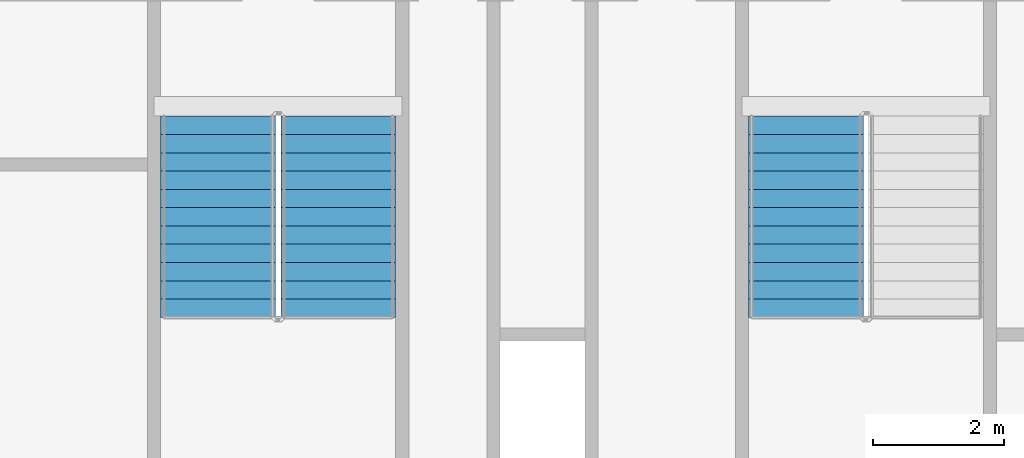
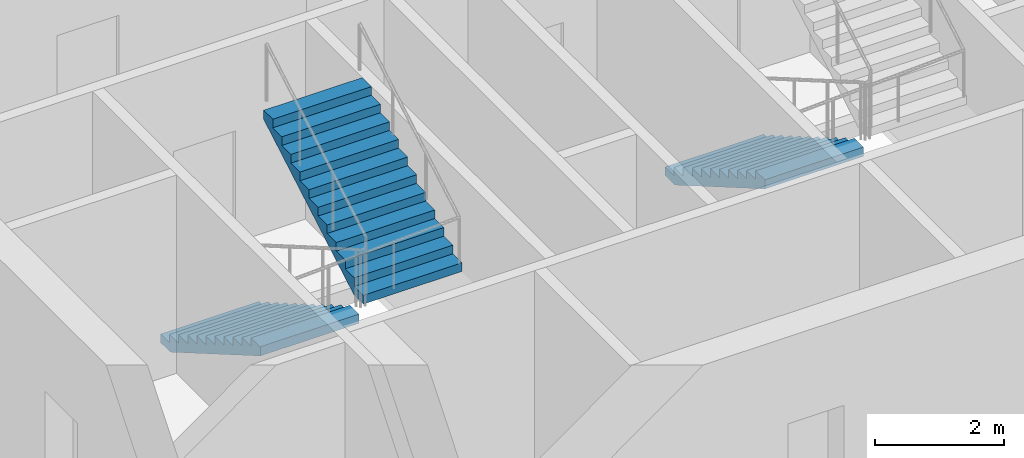
# One storey, part 15 of 22: 3 stair flights, 2 elements without a shape of their own.
"""IFC4 building model written with IfcOpenShell, lengths in metres."""

from ifc_helpers import new_model, si_unit, direction, frame, origin, place, context, subcontext, project, spatial, faceted_brep, material, type_object, element, aggregate, save


model = new_model("IFC4")

# Units and contexts
model_context = context("Model", 3, precision=1e-05, world=origin(), true_north=direction((0.0, 1.0)))
body_context = subcontext(model_context, "Body", "Model", "MODEL_VIEW")
ifc_project = project(units=[si_unit("LENGTHUNIT", "METRE"), si_unit("AREAUNIT", "SQUARE_METRE"), si_unit("VOLUMEUNIT", "CUBIC_METRE"), si_unit("PLANEANGLEUNIT", "RADIAN"), si_unit("MASSUNIT", "GRAM", prefix="KILO")], contexts=[model_context])

# Site, building, storey
site_placement = place(None, origin())
site = spatial("IfcSite", under=ifc_project, at=site_placement, CompositionType="ELEMENT")
building_placement = place(site_placement, origin())
building = spatial("IfcBuilding", under=site, at=building_placement, Name="Tarsis Ring Headquarters", CompositionType="ELEMENT")
storey_placement = place(building_placement, frame((0.0, 0.0, 286.39990234375)))
storey = spatial("IfcBuildingStorey", under=building, at=storey_placement, Name="L67", CompositionType="ELEMENT", Elevation=286.39990234375)

# Stair, stair flights
ifc_material_1 = material(Name="Core stair 1760")
stair_type = type_object("IfcStairType", Name="Core stair 1760", PredefinedType="HALF_TURN_STAIR", material=ifc_material_1)
stair_1_placement = place(storey_placement, origin())
stair_1 = element("IfcStair", 1, at=stair_1_placement, inside=storey, type_object=stair_type, Name="L67 Exit stair C", PredefinedType="HALF_TURN_STAIR")
ifc_material_2 = material(Name="Concrete C40/50", Category="concrete")
stair_flight_type = type_object("IfcStairFlightType", Name="Core stair flight 1760", PredefinedType="STRAIGHT", material=ifc_material_2)
stair_flight_1_placement = place(storey_placement, frame((-5.419921875, -3.659912109375, 0.0), z_axis=(0.0, 0.0, 1.0), x_axis=(0.0, -1.0, 0.0)))
stair_flight_1 = element("IfcStairFlight", 2, at=stair_flight_1_placement, type_object=stair_flight_type, Name="Stair ST3 flight 1", NumberOfRisers=12, NumberOfTreads=11, PredefinedType="STRAIGHT", RiserHeight=0.1625, TreadLength=0.28, context=body_context, shape_type="Brep", body=[
    faceted_brep([(0.0, 0.8798828125, 0.0), (0.0, 0.8798828125, 0.16259765625), (0.280029296875, 0.8798828125, 0.16259765625), (0.280029296875, 0.8798828125, 0.324951171875), (0.56005859375, 0.8798828125, 0.324951171875), (0.56005859375, 0.8798828125, 0.487548828125), (0.840087890625, 0.8798828125, 0.487548828125), (0.840087890625, 0.8798828125, 0.64990234375), (1.1201171875, 0.8798828125, 0.64990234375), (1.1201171875, 0.8798828125, 0.8125), (1.39990234375, 0.8798828125, 0.8125), (1.39990234375, 0.8798828125, 0.97509765625), (1.679931640625, 0.8798828125, 0.97509765625), (1.679931640625, 0.8798828125, 1.137451171875), (1.9599609375, 0.8798828125, 1.137451171875), (1.9599609375, 0.8798828125, 1.300048828125), (2.239990234375, 0.8798828125, 1.300048828125), (2.239990234375, 0.8798828125, 1.46240234375), (2.52001953125, 0.8798828125, 1.46240234375), (2.52001953125, 0.8798828125, 1.625), (2.800048828125, 0.8798828125, 1.625), (2.800048828125, 0.8798828125, 1.78759765625), (3.080078125, 0.8798828125, 1.78759765625), (3.080078125, 0.8798828125, 1.6142578125), (0.298583984375, 0.8798828125, 0.0), (0.298583984375, -0.8798828125, 0.0), (3.080078125, -0.8798828125, 1.6142578125), (3.080078125, -0.8798828125, 1.78759765625), (2.800048828125, -0.8798828125, 1.78759765625), (2.800048828125, -0.8798828125, 1.625), (2.52001953125, -0.8798828125, 1.625), (2.52001953125, -0.8798828125, 1.46240234375), (2.239990234375, -0.8798828125, 1.46240234375), (2.239990234375, -0.8798828125, 1.300048828125), (1.9599609375, -0.8798828125, 1.300048828125), (1.9599609375, -0.8798828125, 1.137451171875), (1.679931640625, -0.8798828125, 1.137451171875), (1.679931640625, -0.8798828125, 0.97509765625), (1.39990234375, -0.8798828125, 0.97509765625), (1.39990234375, -0.8798828125, 0.8125), (1.1201171875, -0.8798828125, 0.8125), (1.1201171875, -0.8798828125, 0.64990234375), (0.840087890625, -0.8798828125, 0.64990234375), (0.840087890625, -0.8798828125, 0.487548828125), (0.56005859375, -0.8798828125, 0.487548828125), (0.56005859375, -0.8798828125, 0.324951171875), (0.280029296875, -0.8798828125, 0.324951171875), (0.280029296875, -0.8798828125, 0.16259765625), (0.0, -0.8798828125, 0.16259765625), (0.0, -0.8798828125, 0.0), (0.0, -0.43994140625, 0.16259765625), (0.0, -0.43994140625, 0.0), (0.0, 0.0, 0.16259765625), (0.0, 0.0, 0.0), (0.0, 0.43994140625, 0.16259765625), (0.0, 0.43994140625, 0.0), (0.280029296875, -0.43994140625, 0.16259765625), (0.280029296875, 0.0, 0.16259765625), (0.280029296875, 0.43994140625, 0.16259765625), (0.280029296875, -0.43994140625, 0.324951171875), (0.280029296875, 0.0, 0.324951171875), (0.280029296875, 0.43994140625, 0.324951171875), (0.56005859375, -0.43994140625, 0.324951171875), (0.56005859375, 0.0, 0.324951171875), (0.56005859375, 0.43994140625, 0.324951171875), (0.56005859375, -0.43994140625, 0.487548828125), (0.56005859375, 0.0, 0.487548828125), (0.56005859375, 0.43994140625, 0.487548828125), (0.840087890625, -0.43994140625, 0.487548828125), (0.840087890625, 0.0, 0.487548828125), (0.840087890625, 0.43994140625, 0.487548828125), (0.840087890625, -0.43994140625, 0.64990234375), (0.840087890625, 0.0, 0.64990234375), (0.840087890625, 0.43994140625, 0.64990234375), (1.1201171875, -0.43994140625, 0.64990234375), (1.1201171875, 0.0, 0.64990234375), (1.1201171875, 0.43994140625, 0.64990234375), (1.1201171875, -0.43994140625, 0.8125), (1.1201171875, 0.0, 0.8125), (1.1201171875, 0.43994140625, 0.8125), (1.39990234375, -0.43994140625, 0.8125), (1.39990234375, 0.0, 0.8125), (1.39990234375, 0.43994140625, 0.8125), (1.39990234375, -0.43994140625, 0.97509765625), (1.39990234375, 0.0, 0.97509765625), (1.39990234375, 0.43994140625, 0.97509765625), (1.679931640625, -0.43994140625, 0.97509765625), (1.679931640625, 0.0, 0.97509765625), (1.679931640625, 0.43994140625, 0.97509765625), (1.679931640625, -0.43994140625, 1.137451171875), (1.679931640625, 0.0, 1.137451171875), (1.679931640625, 0.43994140625, 1.137451171875), (1.9599609375, -0.43994140625, 1.137451171875), (1.9599609375, 0.0, 1.137451171875), (1.9599609375, 0.43994140625, 1.137451171875), (1.9599609375, -0.43994140625, 1.300048828125), (1.9599609375, 0.0, 1.300048828125), (1.9599609375, 0.43994140625, 1.300048828125), (2.239990234375, -0.43994140625, 1.300048828125), (2.239990234375, 0.0, 1.300048828125), (2.239990234375, 0.43994140625, 1.300048828125), (2.239990234375, -0.43994140625, 1.46240234375), (2.239990234375, 0.0, 1.46240234375), (2.239990234375, 0.43994140625, 1.46240234375), (2.52001953125, -0.43994140625, 1.46240234375), (2.52001953125, 0.0, 1.46240234375), (2.52001953125, 0.43994140625, 1.46240234375), (2.52001953125, -0.43994140625, 1.625), (2.52001953125, 0.0, 1.625), (2.52001953125, 0.43994140625, 1.625), (2.800048828125, -0.43994140625, 1.625), (2.800048828125, 0.0, 1.625), (2.800048828125, 0.43994140625, 1.625), (2.800048828125, -0.43994140625, 1.78759765625), (2.800048828125, 0.0, 1.78759765625), (2.800048828125, 0.43994140625, 1.78759765625), (3.080078125, -0.43994140625, 1.78759765625), (3.080078125, 0.0, 1.78759765625), (3.080078125, 0.43994140625, 1.78759765625), (3.080078125, -0.43994140625, 1.6142578125), (3.080078125, 0.0, 1.6142578125), (3.080078125, 0.43994140625, 1.6142578125), (0.298583984375, -0.43994140625, 0.0), (0.298583984375, 0.0, 0.0), (0.298583984375, 0.43994140625, 0.0)], [[[0, 1, 2, 3, 4, 5, 6, 7, 8, 9, 10, 11, 12, 13, 14, 15, 16, 17, 18, 19, 20, 21, 22, 23, 24]], [[25, 26, 27, 28, 29, 30, 31, 32, 33, 34, 35, 36, 37, 38, 39, 40, 41, 42, 43, 44, 45, 46, 47, 48, 49]], [[49, 48, 50, 51]], [[51, 50, 52, 53]], [[53, 52, 54, 55]], [[55, 54, 1, 0]], [[48, 47, 56, 50]], [[50, 56, 57, 52]], [[52, 57, 58, 54]], [[54, 58, 2, 1]], [[47, 46, 59, 56]], [[56, 59, 60, 57]], [[57, 60, 61, 58]], [[58, 61, 3, 2]], [[46, 45, 62, 59]], [[59, 62, 63, 60]], [[60, 63, 64, 61]], [[61, 64, 4, 3]], [[45, 44, 65, 62]], [[62, 65, 66, 63]], [[63, 66, 67, 64]], [[64, 67, 5, 4]], [[44, 43, 68, 65]], [[65, 68, 69, 66]], [[66, 69, 70, 67]], [[67, 70, 6, 5]], [[43, 42, 71, 68]], [[68, 71, 72, 69]], [[69, 72, 73, 70]], [[70, 73, 7, 6]], [[42, 41, 74, 71]], [[71, 74, 75, 72]], [[72, 75, 76, 73]], [[73, 76, 8, 7]], [[41, 40, 77, 74]], [[74, 77, 78, 75]], [[75, 78, 79, 76]], [[76, 79, 9, 8]], [[40, 39, 80, 77]], [[77, 80, 81, 78]], [[78, 81, 82, 79]], [[79, 82, 10, 9]], [[39, 38, 83, 80]], [[80, 83, 84, 81]], [[81, 84, 85, 82]], [[82, 85, 11, 10]], [[38, 37, 86, 83]], [[83, 86, 87, 84]], [[84, 87, 88, 85]], [[85, 88, 12, 11]], [[37, 36, 89, 86]], [[86, 89, 90, 87]], [[87, 90, 91, 88]], [[88, 91, 13, 12]], [[36, 35, 92, 89]], [[89, 92, 93, 90]], [[90, 93, 94, 91]], [[91, 94, 14, 13]], [[35, 34, 95, 92]], [[92, 95, 96, 93]], [[93, 96, 97, 94]], [[94, 97, 15, 14]], [[34, 33, 98, 95]], [[95, 98, 99, 96]], [[96, 99, 100, 97]], [[97, 100, 16, 15]], [[33, 32, 101, 98]], [[98, 101, 102, 99]], [[99, 102, 103, 100]], [[100, 103, 17, 16]], [[32, 31, 104, 101]], [[101, 104, 105, 102]], [[102, 105, 106, 103]], [[103, 106, 18, 17]], [[31, 30, 107, 104]], [[104, 107, 108, 105]], [[105, 108, 109, 106]], [[106, 109, 19, 18]], [[30, 29, 110, 107]], [[107, 110, 111, 108]], [[108, 111, 112, 109]], [[109, 112, 20, 19]], [[29, 28, 113, 110]], [[110, 113, 114, 111]], [[111, 114, 115, 112]], [[112, 115, 21, 20]], [[28, 27, 116, 113]], [[113, 116, 117, 114]], [[114, 117, 118, 115]], [[115, 118, 22, 21]], [[27, 26, 119, 116]], [[116, 119, 120, 117]], [[117, 120, 121, 118]], [[118, 121, 23, 22]], [[26, 25, 122, 119]], [[119, 122, 123, 120]], [[120, 123, 124, 121]], [[121, 124, 24, 23]], [[25, 49, 51, 122]], [[122, 51, 53, 123]], [[123, 53, 55, 124]], [[124, 55, 0, 24]]]),
])
stair_flight_2_placement = place(storey_placement, frame((-3.580078125, -6.739990234375, 1.9501953125), z_axis=(0.0, 0.0, 1.0), x_axis=(0.0, 1.0, 0.0)))
stair_flight_2 = element("IfcStairFlight", 3, at=stair_flight_2_placement, type_object=stair_flight_type, Name="Stair ST3 flight 2", NumberOfRisers=12, NumberOfTreads=11, PredefinedType="STRAIGHT", RiserHeight=0.1625, TreadLength=0.28, context=body_context, shape_type="Brep", body=[
    faceted_brep([(0.0, 0.8798828125, 0.0), (0.0, 0.8798828125, 0.16259765625), (0.280029296875, 0.8798828125, 0.16259765625), (0.280029296875, 0.8798828125, 0.324951171875), (0.56005859375, 0.8798828125, 0.324951171875), (0.56005859375, 0.8798828125, 0.487548828125), (0.840087890625, 0.8798828125, 0.487548828125), (0.840087890625, 0.8798828125, 0.64990234375), (1.1201171875, 0.8798828125, 0.64990234375), (1.1201171875, 0.8798828125, 0.8125), (1.39990234375, 0.8798828125, 0.8125), (1.39990234375, 0.8798828125, 0.97509765625), (1.679931640625, 0.8798828125, 0.97509765625), (1.679931640625, 0.8798828125, 1.137451171875), (1.9599609375, 0.8798828125, 1.137451171875), (1.9599609375, 0.8798828125, 1.300048828125), (2.239990234375, 0.8798828125, 1.300048828125), (2.239990234375, 0.8798828125, 1.46240234375), (2.52001953125, 0.8798828125, 1.46240234375), (2.52001953125, 0.8798828125, 1.625), (2.800048828125, 0.8798828125, 1.625), (2.800048828125, 0.8798828125, 1.78759765625), (3.080078125, 0.8798828125, 1.78759765625), (3.080078125, 0.8798828125, 1.6142578125), (0.298583984375, 0.8798828125, 0.0), (0.298583984375, -0.8798828125, 0.0), (3.080078125, -0.8798828125, 1.6142578125), (3.080078125, -0.8798828125, 1.78759765625), (2.800048828125, -0.8798828125, 1.78759765625), (2.800048828125, -0.8798828125, 1.625), (2.52001953125, -0.8798828125, 1.625), (2.52001953125, -0.8798828125, 1.46240234375), (2.239990234375, -0.8798828125, 1.46240234375), (2.239990234375, -0.8798828125, 1.300048828125), (1.9599609375, -0.8798828125, 1.300048828125), (1.9599609375, -0.8798828125, 1.137451171875), (1.679931640625, -0.8798828125, 1.137451171875), (1.679931640625, -0.8798828125, 0.97509765625), (1.39990234375, -0.8798828125, 0.97509765625), (1.39990234375, -0.8798828125, 0.8125), (1.1201171875, -0.8798828125, 0.8125), (1.1201171875, -0.8798828125, 0.64990234375), (0.840087890625, -0.8798828125, 0.64990234375), (0.840087890625, -0.8798828125, 0.487548828125), (0.56005859375, -0.8798828125, 0.487548828125), (0.56005859375, -0.8798828125, 0.324951171875), (0.280029296875, -0.8798828125, 0.324951171875), (0.280029296875, -0.8798828125, 0.16259765625), (0.0, -0.8798828125, 0.16259765625), (0.0, -0.8798828125, 0.0), (0.0, -0.43994140625, 0.16259765625), (0.0, -0.43994140625, 0.0), (0.0, 0.0, 0.16259765625), (0.0, 0.0, 0.0), (0.0, 0.43994140625, 0.16259765625), (0.0, 0.43994140625, 0.0), (0.280029296875, -0.43994140625, 0.16259765625), (0.280029296875, 0.0, 0.16259765625), (0.280029296875, 0.43994140625, 0.16259765625), (0.280029296875, -0.43994140625, 0.324951171875), (0.280029296875, 0.0, 0.324951171875), (0.280029296875, 0.43994140625, 0.324951171875), (0.56005859375, -0.43994140625, 0.324951171875), (0.56005859375, 0.0, 0.324951171875), (0.56005859375, 0.43994140625, 0.324951171875), (0.56005859375, -0.43994140625, 0.487548828125), (0.56005859375, 0.0, 0.487548828125), (0.56005859375, 0.43994140625, 0.487548828125), (0.840087890625, -0.43994140625, 0.487548828125), (0.840087890625, 0.0, 0.487548828125), (0.840087890625, 0.43994140625, 0.487548828125), (0.840087890625, -0.43994140625, 0.64990234375), (0.840087890625, 0.0, 0.64990234375), (0.840087890625, 0.43994140625, 0.64990234375), (1.1201171875, -0.43994140625, 0.64990234375), (1.1201171875, 0.0, 0.64990234375), (1.1201171875, 0.43994140625, 0.64990234375), (1.1201171875, -0.43994140625, 0.8125), (1.1201171875, 0.0, 0.8125), (1.1201171875, 0.43994140625, 0.8125), (1.39990234375, -0.43994140625, 0.8125), (1.39990234375, 0.0, 0.8125), (1.39990234375, 0.43994140625, 0.8125), (1.39990234375, -0.43994140625, 0.97509765625), (1.39990234375, 0.0, 0.97509765625), (1.39990234375, 0.43994140625, 0.97509765625), (1.679931640625, -0.43994140625, 0.97509765625), (1.679931640625, 0.0, 0.97509765625), (1.679931640625, 0.43994140625, 0.97509765625), (1.679931640625, -0.43994140625, 1.137451171875), (1.679931640625, 0.0, 1.137451171875), (1.679931640625, 0.43994140625, 1.137451171875), (1.9599609375, -0.43994140625, 1.137451171875), (1.9599609375, 0.0, 1.137451171875), (1.9599609375, 0.43994140625, 1.137451171875), (1.9599609375, -0.43994140625, 1.300048828125), (1.9599609375, 0.0, 1.300048828125), (1.9599609375, 0.43994140625, 1.300048828125), (2.239990234375, -0.43994140625, 1.300048828125), (2.239990234375, 0.0, 1.300048828125), (2.239990234375, 0.43994140625, 1.300048828125), (2.239990234375, -0.43994140625, 1.46240234375), (2.239990234375, 0.0, 1.46240234375), (2.239990234375, 0.43994140625, 1.46240234375), (2.52001953125, -0.43994140625, 1.46240234375), (2.52001953125, 0.0, 1.46240234375), (2.52001953125, 0.43994140625, 1.46240234375), (2.52001953125, -0.43994140625, 1.625), (2.52001953125, 0.0, 1.625), (2.52001953125, 0.43994140625, 1.625), (2.800048828125, -0.43994140625, 1.625), (2.800048828125, 0.0, 1.625), (2.800048828125, 0.43994140625, 1.625), (2.800048828125, -0.43994140625, 1.78759765625), (2.800048828125, 0.0, 1.78759765625), (2.800048828125, 0.43994140625, 1.78759765625), (3.080078125, -0.43994140625, 1.78759765625), (3.080078125, 0.0, 1.78759765625), (3.080078125, 0.43994140625, 1.78759765625), (3.080078125, -0.43994140625, 1.6142578125), (3.080078125, 0.0, 1.6142578125), (3.080078125, 0.43994140625, 1.6142578125), (0.298583984375, -0.43994140625, 0.0), (0.298583984375, 0.0, 0.0), (0.298583984375, 0.43994140625, 0.0)], [[[0, 1, 2, 3, 4, 5, 6, 7, 8, 9, 10, 11, 12, 13, 14, 15, 16, 17, 18, 19, 20, 21, 22, 23, 24]], [[25, 26, 27, 28, 29, 30, 31, 32, 33, 34, 35, 36, 37, 38, 39, 40, 41, 42, 43, 44, 45, 46, 47, 48, 49]], [[49, 48, 50, 51]], [[51, 50, 52, 53]], [[53, 52, 54, 55]], [[55, 54, 1, 0]], [[48, 47, 56, 50]], [[50, 56, 57, 52]], [[52, 57, 58, 54]], [[54, 58, 2, 1]], [[47, 46, 59, 56]], [[56, 59, 60, 57]], [[57, 60, 61, 58]], [[58, 61, 3, 2]], [[46, 45, 62, 59]], [[59, 62, 63, 60]], [[60, 63, 64, 61]], [[61, 64, 4, 3]], [[45, 44, 65, 62]], [[62, 65, 66, 63]], [[63, 66, 67, 64]], [[64, 67, 5, 4]], [[44, 43, 68, 65]], [[65, 68, 69, 66]], [[66, 69, 70, 67]], [[67, 70, 6, 5]], [[43, 42, 71, 68]], [[68, 71, 72, 69]], [[69, 72, 73, 70]], [[70, 73, 7, 6]], [[42, 41, 74, 71]], [[71, 74, 75, 72]], [[72, 75, 76, 73]], [[73, 76, 8, 7]], [[41, 40, 77, 74]], [[74, 77, 78, 75]], [[75, 78, 79, 76]], [[76, 79, 9, 8]], [[40, 39, 80, 77]], [[77, 80, 81, 78]], [[78, 81, 82, 79]], [[79, 82, 10, 9]], [[39, 38, 83, 80]], [[80, 83, 84, 81]], [[81, 84, 85, 82]], [[82, 85, 11, 10]], [[38, 37, 86, 83]], [[83, 86, 87, 84]], [[84, 87, 88, 85]], [[85, 88, 12, 11]], [[37, 36, 89, 86]], [[86, 89, 90, 87]], [[87, 90, 91, 88]], [[88, 91, 13, 12]], [[36, 35, 92, 89]], [[89, 92, 93, 90]], [[90, 93, 94, 91]], [[91, 94, 14, 13]], [[35, 34, 95, 92]], [[92, 95, 96, 93]], [[93, 96, 97, 94]], [[94, 97, 15, 14]], [[34, 33, 98, 95]], [[95, 98, 99, 96]], [[96, 99, 100, 97]], [[97, 100, 16, 15]], [[33, 32, 101, 98]], [[98, 101, 102, 99]], [[99, 102, 103, 100]], [[100, 103, 17, 16]], [[32, 31, 104, 101]], [[101, 104, 105, 102]], [[102, 105, 106, 103]], [[103, 106, 18, 17]], [[31, 30, 107, 104]], [[104, 107, 108, 105]], [[105, 108, 109, 106]], [[106, 109, 19, 18]], [[30, 29, 110, 107]], [[107, 110, 111, 108]], [[108, 111, 112, 109]], [[109, 112, 20, 19]], [[29, 28, 113, 110]], [[110, 113, 114, 111]], [[111, 114, 115, 112]], [[112, 115, 21, 20]], [[28, 27, 116, 113]], [[113, 116, 117, 114]], [[114, 117, 118, 115]], [[115, 118, 22, 21]], [[27, 26, 119, 116]], [[116, 119, 120, 117]], [[117, 120, 121, 118]], [[118, 121, 23, 22]], [[26, 25, 122, 119]], [[119, 122, 123, 120]], [[120, 123, 124, 121]], [[121, 124, 24, 23]], [[25, 49, 51, 122]], [[122, 51, 53, 123]], [[123, 53, 55, 124]], [[124, 55, 0, 24]]]),
])
aggregate(stair_1, [stair_flight_1, stair_flight_2])

# Stair, stair flight
stair_2_placement = place(storey_placement, origin())
stair_2 = element("IfcStair", 4, at=stair_2_placement, inside=storey, type_object=stair_type, Name="L67 Exit stair D", PredefinedType="HALF_TURN_STAIR")
stair_flight_3_placement = place(storey_placement, frame((3.580078125, -3.659912109375, 0.0), z_axis=(0.0, 0.0, 1.0), x_axis=(0.0, -1.0, 0.0)))
stair_flight_3 = element("IfcStairFlight", 5, at=stair_flight_3_placement, type_object=stair_flight_type, Name="Stair ST4 flight 1", NumberOfRisers=12, NumberOfTreads=11, PredefinedType="STRAIGHT", RiserHeight=0.1625, TreadLength=0.28, context=body_context, shape_type="Brep", body=[
    faceted_brep([(0.0, 0.8798828125, 0.0), (0.0, 0.8798828125, 0.16259765625), (0.280029296875, 0.8798828125, 0.16259765625), (0.280029296875, 0.8798828125, 0.324951171875), (0.56005859375, 0.8798828125, 0.324951171875), (0.56005859375, 0.8798828125, 0.487548828125), (0.840087890625, 0.8798828125, 0.487548828125), (0.840087890625, 0.8798828125, 0.64990234375), (1.1201171875, 0.8798828125, 0.64990234375), (1.1201171875, 0.8798828125, 0.8125), (1.39990234375, 0.8798828125, 0.8125), (1.39990234375, 0.8798828125, 0.97509765625), (1.679931640625, 0.8798828125, 0.97509765625), (1.679931640625, 0.8798828125, 1.137451171875), (1.9599609375, 0.8798828125, 1.137451171875), (1.9599609375, 0.8798828125, 1.300048828125), (2.239990234375, 0.8798828125, 1.300048828125), (2.239990234375, 0.8798828125, 1.46240234375), (2.52001953125, 0.8798828125, 1.46240234375), (2.52001953125, 0.8798828125, 1.625), (2.800048828125, 0.8798828125, 1.625), (2.800048828125, 0.8798828125, 1.78759765625), (3.080078125, 0.8798828125, 1.78759765625), (3.080078125, 0.8798828125, 1.6142578125), (0.298583984375, 0.8798828125, 0.0), (0.298583984375, -0.8798828125, 0.0), (3.080078125, -0.8798828125, 1.6142578125), (3.080078125, -0.8798828125, 1.78759765625), (2.800048828125, -0.8798828125, 1.78759765625), (2.800048828125, -0.8798828125, 1.625), (2.52001953125, -0.8798828125, 1.625), (2.52001953125, -0.8798828125, 1.46240234375), (2.239990234375, -0.8798828125, 1.46240234375), (2.239990234375, -0.8798828125, 1.300048828125), (1.9599609375, -0.8798828125, 1.300048828125), (1.9599609375, -0.8798828125, 1.137451171875), (1.679931640625, -0.8798828125, 1.137451171875), (1.679931640625, -0.8798828125, 0.97509765625), (1.39990234375, -0.8798828125, 0.97509765625), (1.39990234375, -0.8798828125, 0.8125), (1.1201171875, -0.8798828125, 0.8125), (1.1201171875, -0.8798828125, 0.64990234375), (0.840087890625, -0.8798828125, 0.64990234375), (0.840087890625, -0.8798828125, 0.487548828125), (0.56005859375, -0.8798828125, 0.487548828125), (0.56005859375, -0.8798828125, 0.324951171875), (0.280029296875, -0.8798828125, 0.324951171875), (0.280029296875, -0.8798828125, 0.16259765625), (0.0, -0.8798828125, 0.16259765625), (0.0, -0.8798828125, 0.0), (0.0, -0.43994140625, 0.16259765625), (0.0, -0.43994140625, 0.0), (0.0, 0.0, 0.16259765625), (0.0, 0.0, 0.0), (0.0, 0.43994140625, 0.16259765625), (0.0, 0.43994140625, 0.0), (0.280029296875, -0.43994140625, 0.16259765625), (0.280029296875, 0.0, 0.16259765625), (0.280029296875, 0.43994140625, 0.16259765625), (0.280029296875, -0.43994140625, 0.324951171875), (0.280029296875, 0.0, 0.324951171875), (0.280029296875, 0.43994140625, 0.324951171875), (0.56005859375, -0.43994140625, 0.324951171875), (0.56005859375, 0.0, 0.324951171875), (0.56005859375, 0.43994140625, 0.324951171875), (0.56005859375, -0.43994140625, 0.487548828125), (0.56005859375, 0.0, 0.487548828125), (0.56005859375, 0.43994140625, 0.487548828125), (0.840087890625, -0.43994140625, 0.487548828125), (0.840087890625, 0.0, 0.487548828125), (0.840087890625, 0.43994140625, 0.487548828125), (0.840087890625, -0.43994140625, 0.64990234375), (0.840087890625, 0.0, 0.64990234375), (0.840087890625, 0.43994140625, 0.64990234375), (1.1201171875, -0.43994140625, 0.64990234375), (1.1201171875, 0.0, 0.64990234375), (1.1201171875, 0.43994140625, 0.64990234375), (1.1201171875, -0.43994140625, 0.8125), (1.1201171875, 0.0, 0.8125), (1.1201171875, 0.43994140625, 0.8125), (1.39990234375, -0.43994140625, 0.8125), (1.39990234375, 0.0, 0.8125), (1.39990234375, 0.43994140625, 0.8125), (1.39990234375, -0.43994140625, 0.97509765625), (1.39990234375, 0.0, 0.97509765625), (1.39990234375, 0.43994140625, 0.97509765625), (1.679931640625, -0.43994140625, 0.97509765625), (1.679931640625, 0.0, 0.97509765625), (1.679931640625, 0.43994140625, 0.97509765625), (1.679931640625, -0.43994140625, 1.137451171875), (1.679931640625, 0.0, 1.137451171875), (1.679931640625, 0.43994140625, 1.137451171875), (1.9599609375, -0.43994140625, 1.137451171875), (1.9599609375, 0.0, 1.137451171875), (1.9599609375, 0.43994140625, 1.137451171875), (1.9599609375, -0.43994140625, 1.300048828125), (1.9599609375, 0.0, 1.300048828125), (1.9599609375, 0.43994140625, 1.300048828125), (2.239990234375, -0.43994140625, 1.300048828125), (2.239990234375, 0.0, 1.300048828125), (2.239990234375, 0.43994140625, 1.300048828125), (2.239990234375, -0.43994140625, 1.46240234375), (2.239990234375, 0.0, 1.46240234375), (2.239990234375, 0.43994140625, 1.46240234375), (2.52001953125, -0.43994140625, 1.46240234375), (2.52001953125, 0.0, 1.46240234375), (2.52001953125, 0.43994140625, 1.46240234375), (2.52001953125, -0.43994140625, 1.625), (2.52001953125, 0.0, 1.625), (2.52001953125, 0.43994140625, 1.625), (2.800048828125, -0.43994140625, 1.625), (2.800048828125, 0.0, 1.625), (2.800048828125, 0.43994140625, 1.625), (2.800048828125, -0.43994140625, 1.78759765625), (2.800048828125, 0.0, 1.78759765625), (2.800048828125, 0.43994140625, 1.78759765625), (3.080078125, -0.43994140625, 1.78759765625), (3.080078125, 0.0, 1.78759765625), (3.080078125, 0.43994140625, 1.78759765625), (3.080078125, -0.43994140625, 1.6142578125), (3.080078125, 0.0, 1.6142578125), (3.080078125, 0.43994140625, 1.6142578125), (0.298583984375, -0.43994140625, 0.0), (0.298583984375, 0.0, 0.0), (0.298583984375, 0.43994140625, 0.0)], [[[0, 1, 2, 3, 4, 5, 6, 7, 8, 9, 10, 11, 12, 13, 14, 15, 16, 17, 18, 19, 20, 21, 22, 23, 24]], [[25, 26, 27, 28, 29, 30, 31, 32, 33, 34, 35, 36, 37, 38, 39, 40, 41, 42, 43, 44, 45, 46, 47, 48, 49]], [[49, 48, 50, 51]], [[51, 50, 52, 53]], [[53, 52, 54, 55]], [[55, 54, 1, 0]], [[48, 47, 56, 50]], [[50, 56, 57, 52]], [[52, 57, 58, 54]], [[54, 58, 2, 1]], [[47, 46, 59, 56]], [[56, 59, 60, 57]], [[57, 60, 61, 58]], [[58, 61, 3, 2]], [[46, 45, 62, 59]], [[59, 62, 63, 60]], [[60, 63, 64, 61]], [[61, 64, 4, 3]], [[45, 44, 65, 62]], [[62, 65, 66, 63]], [[63, 66, 67, 64]], [[64, 67, 5, 4]], [[44, 43, 68, 65]], [[65, 68, 69, 66]], [[66, 69, 70, 67]], [[67, 70, 6, 5]], [[43, 42, 71, 68]], [[68, 71, 72, 69]], [[69, 72, 73, 70]], [[70, 73, 7, 6]], [[42, 41, 74, 71]], [[71, 74, 75, 72]], [[72, 75, 76, 73]], [[73, 76, 8, 7]], [[41, 40, 77, 74]], [[74, 77, 78, 75]], [[75, 78, 79, 76]], [[76, 79, 9, 8]], [[40, 39, 80, 77]], [[77, 80, 81, 78]], [[78, 81, 82, 79]], [[79, 82, 10, 9]], [[39, 38, 83, 80]], [[80, 83, 84, 81]], [[81, 84, 85, 82]], [[82, 85, 11, 10]], [[38, 37, 86, 83]], [[83, 86, 87, 84]], [[84, 87, 88, 85]], [[85, 88, 12, 11]], [[37, 36, 89, 86]], [[86, 89, 90, 87]], [[87, 90, 91, 88]], [[88, 91, 13, 12]], [[36, 35, 92, 89]], [[89, 92, 93, 90]], [[90, 93, 94, 91]], [[91, 94, 14, 13]], [[35, 34, 95, 92]], [[92, 95, 96, 93]], [[93, 96, 97, 94]], [[94, 97, 15, 14]], [[34, 33, 98, 95]], [[95, 98, 99, 96]], [[96, 99, 100, 97]], [[97, 100, 16, 15]], [[33, 32, 101, 98]], [[98, 101, 102, 99]], [[99, 102, 103, 100]], [[100, 103, 17, 16]], [[32, 31, 104, 101]], [[101, 104, 105, 102]], [[102, 105, 106, 103]], [[103, 106, 18, 17]], [[31, 30, 107, 104]], [[104, 107, 108, 105]], [[105, 108, 109, 106]], [[106, 109, 19, 18]], [[30, 29, 110, 107]], [[107, 110, 111, 108]], [[108, 111, 112, 109]], [[109, 112, 20, 19]], [[29, 28, 113, 110]], [[110, 113, 114, 111]], [[111, 114, 115, 112]], [[112, 115, 21, 20]], [[28, 27, 116, 113]], [[113, 116, 117, 114]], [[114, 117, 118, 115]], [[115, 118, 22, 21]], [[27, 26, 119, 116]], [[116, 119, 120, 117]], [[117, 120, 121, 118]], [[118, 121, 23, 22]], [[26, 25, 122, 119]], [[119, 122, 123, 120]], [[120, 123, 124, 121]], [[121, 124, 24, 23]], [[25, 49, 51, 122]], [[122, 51, 53, 123]], [[123, 53, 55, 124]], [[124, 55, 0, 24]]]),
])
aggregate(stair_2, [stair_flight_3])

save(model, "model.ifc")
